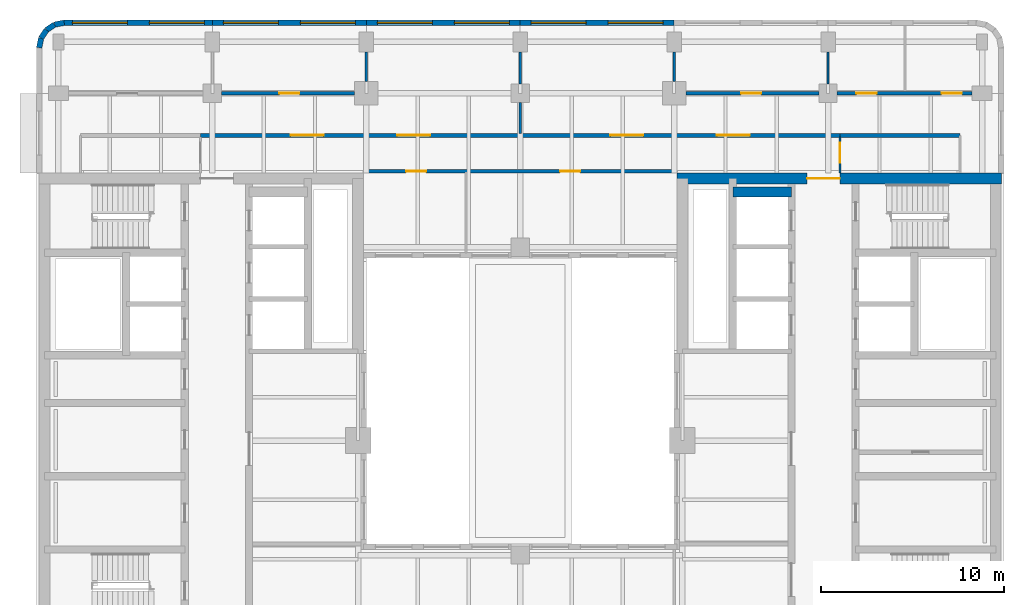
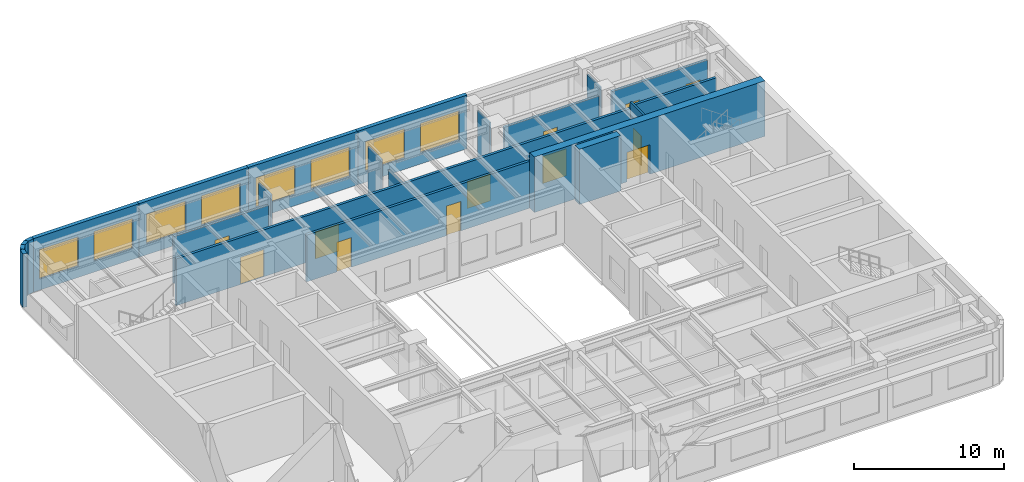
# One storey, part 7 of 11: 22 walls, 12 doors, 8 windows, 20 openings.
"""IFC4 building model written with IfcOpenShell, lengths in metres."""

from ifc_helpers import new_model, si_unit, direction, frame, frame_2d, origin, place, context, subcontext, project, spatial, rectangle, extrude, material, layer, layer_set, type_object, element, fill, save


model = new_model("IFC4")

# Units and contexts
model_context = context("Model", 3, precision=1e-05, world=origin(), true_north=direction((0.0, 1.0)))
body_context = subcontext(model_context, "Body", "Model", "MODEL_VIEW")
ifc_project = project(units=[si_unit("LENGTHUNIT", "METRE"), si_unit("AREAUNIT", "SQUARE_METRE"), si_unit("VOLUMEUNIT", "CUBIC_METRE"), si_unit("PLANEANGLEUNIT", "RADIAN"), si_unit("MASSUNIT", "GRAM", prefix="KILO")], contexts=[model_context])

# Site, building, storey
site_placement = place(None, origin())
site = spatial("IfcSite", under=ifc_project, at=site_placement, CompositionType="ELEMENT")
building_placement = place(site_placement, origin())
building = spatial("IfcBuilding", under=site, at=building_placement, Name="Claustro Exchange Tower", CompositionType="ELEMENT")
storey_placement = place(building_placement, frame((0.0, 0.0, 254.699951171875)))
storey = spatial("IfcBuildingStorey", under=building, at=storey_placement, Name="L58", CompositionType="ELEMENT", Elevation=254.699951171875)

# Walls
ifc_material_1 = material(Name="Laminated glass in aluminium frame", Category="aluminium")
ifc_layer_1 = layer(ifc_material_1, 0.1201171875)
ifc_layer_set_1 = layer_set([ifc_layer_1], Name="Laminated glass in aluminium frame")
wall_type_1 = type_object("IfcWallType", Name="P2 120 glazed partition", PredefinedType="PARTITIONING", material=ifc_layer_set_1)
for number, where, z_axis, x_axis, name in (
    (1, (16.800048828125, 42.64892578125, 0.0), (0.0, 0.0, 1.0), (0.0, 1.0, 0.0), "Partition P2 L58"),
    (2, (33.60009765625, 42.64892578125, 0.0), (0.0, 0.0, 1.0), (0.0, 1.0, 0.0), "Partition P2 L58"),
):
    element("IfcWall", number, at=place(storey_placement, frame(where, z_axis=z_axis, x_axis=x_axis)), inside=storey, type_object=wall_type_1, Name=name, PredefinedType="PARTITIONING", context=body_context, shape_type="SweptSolid", body=[
        extrude(rectangle(XDim=1.60205078125, YDim=0.1201171875, at=frame_2d((0.801025390625, 0.0))), origin(), (0.0, 0.0, 1.0), 3.989990234375),
    ])
wall_1_placement = place(storey_placement, frame((42.0, 42.4990234375, 0.0), z_axis=(0.0, 0.0, 1.0), x_axis=(0.0, 1.0, 0.0)))
element("IfcWall", 3, at=wall_1_placement, inside=storey, type_object=wall_type_1, Name="Partition P2 L58", PredefinedType="PARTITIONING", context=body_context, shape_type="SweptSolid", body=[
    extrude(rectangle(XDim=1.751953125, YDim=0.1201171875, at=frame_2d((0.8759765625, 0.0))), origin(), (0.0, 0.0, 1.0), 3.989990234375),
])
wall_2_placement = place(storey_placement, frame((25.199951171875, 39.798095703125, 0.0), z_axis=(0.0, 0.0, 1.0), x_axis=(0.0, 1.0, 0.0)))
element("IfcWall", 4, at=wall_2_placement, inside=storey, type_object=wall_type_1, Name="Partition P2 L58", PredefinedType="PARTITIONING", context=body_context, shape_type="SweptSolid", body=[
    extrude(rectangle(XDim=1.702880859375, YDim=0.1201171875, at=frame_2d((0.8515625, 0.0))), origin(), (0.0, 0.0, 1.0), 3.800048828125),
])
wall_3_placement = place(storey_placement, frame((25.199951171875, 42.4990234375, 0.0), z_axis=(0.0, 0.0, 1.0), x_axis=(0.0, 1.0, 0.0)))
element("IfcWall", 5, at=wall_3_placement, inside=storey, type_object=wall_type_1, Name="Partition P2 L58", PredefinedType="PARTITIONING", context=body_context, shape_type="SweptSolid", body=[
    extrude(rectangle(XDim=1.751953125, YDim=0.1201171875, at=frame_2d((0.8759765625, 0.0))), origin(), (0.0, 0.0, 1.0), 3.989990234375),
])

# Wall, opening, door
wall_4_placement = place(storey_placement, frame((42.64990234375, 37.64794921875, 0.0), z_axis=(0.0, 0.0, 1.0), x_axis=(0.0, 1.0, 0.0)))
wall_4 = element("IfcWall", 6, at=wall_4_placement, inside=storey, type_object=wall_type_1, Name="Partition P2 L58", PredefinedType="PARTITIONING", context=body_context, shape_type="SweptSolid", body=[
    extrude(rectangle(XDim=1.9541015625, YDim=0.1201171875, at=frame_2d((0.97705078125, 0.0))), origin(), (0.0, 0.0, 1.0), 4.35009765625),
])
opening_1_placement = place(wall_4_placement, frame((0.552001953125, 0.0, 0.0)))
opening_1 = element("IfcOpeningElement", 7, at=opening_1_placement, cuts=wall_4, Name="Opening D8", PredefinedType="OPENING", context=body_context, shape_type="SweptSolid", body=[
    extrude(rectangle(XDim=1.10009765625, YDim=2.39990234375, at=frame_2d((0.550048828125, 1.199951171875))), frame((0.0, 0.070068359375, 0.0), z_axis=(0.0, -1.0, 0.0), x_axis=(1.0, 0.0, 0.0)), (0.0, 0.0, 1.0), 0.14013671875),
])
ifc_material_2 = material(Name="Timber door, walnut veneer", Category="wood")
door_type_1 = type_object("IfcDoorType", Name="D8 1100 x 2400 executive door", OperationType="SINGLE_SWING_LEFT", PredefinedType="DOOR", material=ifc_material_2)
door_1_placement = place(opening_1_placement, frame((1.10009765625, 0.0, 0.0), z_axis=(0.0, 0.0, 1.0), x_axis=(-1.0, 0.0, 0.0)))
door_1 = element("IfcDoor", 8, at=door_1_placement, inside=storey, type_object=door_type_1, Name="Door D8 L58", OperationType="SINGLE_SWING_LEFT", OverallHeight=2.39990234375, OverallWidth=1.10009765625, PredefinedType="DOOR", context=body_context, shape_type="SweptSolid", body=[
    extrude(rectangle(XDim=1.10009765625, YDim=2.39990234375, at=frame_2d((0.550048828125, 1.199951171875))), frame((0.0, 0.02490234375, 0.0), z_axis=(0.0, -1.0, 0.0), x_axis=(1.0, 0.0, 0.0)), (0.0, 0.0, 1.0), 0.050048828125),
])
fill(opening_1, door_1)

ifc_material_3 = material(Name="Twin-skin gypsum board on steel studs, mineral wool", Category="steel")
ifc_layer_2 = layer(ifc_material_3, 0.199951171875)
ifc_layer_set_2 = layer_set([ifc_layer_2], Name="Twin-skin gypsum board on steel studs, mineral wool")
wall_type_2 = type_object("IfcWallType", Name="P3 200 acoustic partition", PredefinedType="PARTITIONING", material=ifc_layer_set_2)
wall_5_placement = place(storey_placement, frame((8.89892578125, 42.0, 0.0), z_axis=(0.0, 0.0, 1.0), x_axis=(1.0, 0.0, 0.0)))
wall_5 = element("IfcWall", 9, at=wall_5_placement, inside=storey, type_object=wall_type_2, Name="Partition P3 L58", PredefinedType="PARTITIONING", context=body_context, shape_type="SweptSolid", body=[
    extrude(rectangle(XDim=7.251953125, YDim=0.199951171875, at=frame_2d((3.6259765625, 0.0))), origin(), (0.0, 0.0, 1.0), 3.800048828125),
])
opening_2_placement = place(wall_5_placement, frame((3.15087890625, 0.0, 0.0)))
opening_2 = element("IfcOpeningElement", 10, at=opening_2_placement, cuts=wall_5, Name="Opening D8", PredefinedType="OPENING", context=body_context, shape_type="SweptSolid", body=[
    extrude(rectangle(XDim=1.10009765625, YDim=2.39990234375, at=frame_2d((0.550048828125, 1.199951171875))), frame((0.0, 0.10986328125, 0.0), z_axis=(0.0, -1.0, 0.0), x_axis=(1.0, 0.0, 0.0)), (0.0, 0.0, 1.0), 0.219970703125),
])
door_2_placement = place(opening_2_placement, origin())
door_2 = element("IfcDoor", 11, at=door_2_placement, inside=storey, type_object=door_type_1, Name="Door D8 L58", OperationType="SINGLE_SWING_LEFT", OverallHeight=2.39990234375, OverallWidth=1.10009765625, PredefinedType="DOOR", context=body_context, shape_type="SweptSolid", body=[
    extrude(rectangle(XDim=1.10009765625, YDim=2.39990234375, at=frame_2d((0.550048828125, 1.199951171875))), frame((0.0, 0.02490234375, 0.0), z_axis=(0.0, -1.0, 0.0), x_axis=(1.0, 0.0, 0.0)), (0.0, 0.0, 1.0), 0.050048828125),
])
fill(opening_2, door_2)

wall_6_placement = place(storey_placement, frame((34.2490234375, 42.0, 0.0), z_axis=(0.0, 0.0, 1.0), x_axis=(1.0, 0.0, 0.0)))
wall_6 = element("IfcWall", 12, at=wall_6_placement, inside=storey, type_object=wall_type_2, Name="Partition P3 L58", PredefinedType="PARTITIONING", context=body_context, shape_type="SweptSolid", body=[
    extrude(rectangle(XDim=7.251953125, YDim=0.199951171875, at=frame_2d((3.6259765625, 0.0))), origin(), (0.0, 0.0, 1.0), 3.800048828125),
])
opening_3_placement = place(wall_6_placement, frame((3.0009765625, 0.0, 0.0)))
opening_3 = element("IfcOpeningElement", 13, at=opening_3_placement, cuts=wall_6, Name="Opening D8", PredefinedType="OPENING", context=body_context, shape_type="SweptSolid", body=[
    extrude(rectangle(XDim=1.10009765625, YDim=2.39990234375, at=frame_2d((0.550048828125, 1.199951171875))), frame((0.0, 0.10986328125, 0.0), z_axis=(0.0, -1.0, 0.0), x_axis=(1.0, 0.0, 0.0)), (0.0, 0.0, 1.0), 0.219970703125),
])
door_3_placement = place(opening_3_placement, origin())
door_3 = element("IfcDoor", 14, at=door_3_placement, inside=storey, type_object=door_type_1, Name="Door D8 L58", OperationType="SINGLE_SWING_RIGHT", OverallHeight=2.39990234375, OverallWidth=1.10009765625, PredefinedType="DOOR", context=body_context, shape_type="SweptSolid", body=[
    extrude(rectangle(XDim=1.10009765625, YDim=2.39990234375, at=frame_2d((0.550048828125, 1.199951171875))), frame((0.0, 0.02490234375, 0.0), z_axis=(0.0, -1.0, 0.0), x_axis=(1.0, 0.0, 0.0)), (0.0, 0.0, 1.0), 0.050048828125),
])
fill(opening_3, door_3)

# Wall, openings, doors
wall_7_placement = place(storey_placement, frame((42.4990234375, 42.0, 0.0), z_axis=(0.0, 0.0, 1.0), x_axis=(1.0, 0.0, 0.0)))
wall_7 = element("IfcWall", 15, at=wall_7_placement, inside=storey, type_object=wall_type_2, Name="Partition P3 L58", PredefinedType="PARTITIONING", context=body_context, shape_type="SweptSolid", body=[
    extrude(rectangle(XDim=7.35205078125, YDim=0.199951171875, at=frame_2d((3.676025390625, 0.0))), origin(), (0.0, 0.0, 1.0), 3.800048828125),
])
opening_4_placement = place(wall_7_placement, frame((1.051025390625, 0.0, 0.0)))
opening_4 = element("IfcOpeningElement", 16, at=opening_4_placement, cuts=wall_7, Name="Opening D8", PredefinedType="OPENING", context=body_context, shape_type="SweptSolid", body=[
    extrude(rectangle(XDim=1.10009765625, YDim=2.39990234375, at=frame_2d((0.550048828125, 1.199951171875))), frame((0.0, 0.10986328125, 0.0), z_axis=(0.0, -1.0, 0.0), x_axis=(1.0, 0.0, 0.0)), (0.0, 0.0, 1.0), 0.219970703125),
])
opening_5_placement = place(wall_7_placement, frame((5.700927734375, 0.0, 0.0)))
opening_5 = element("IfcOpeningElement", 17, at=opening_5_placement, cuts=wall_7, Name="Opening D8", PredefinedType="OPENING", context=body_context, shape_type="SweptSolid", body=[
    extrude(rectangle(XDim=1.10009765625, YDim=2.39990234375, at=frame_2d((0.550048828125, 1.199951171875))), frame((0.0, 0.10986328125, 0.0), z_axis=(0.0, -1.0, 0.0), x_axis=(1.0, 0.0, 0.0)), (0.0, 0.0, 1.0), 0.219970703125),
])
door_4_placement = place(opening_4_placement, origin())
door_4 = element("IfcDoor", 18, at=door_4_placement, inside=storey, type_object=door_type_1, Name="Door D8 L58", OperationType="SINGLE_SWING_RIGHT", OverallHeight=2.39990234375, OverallWidth=1.10009765625, PredefinedType="DOOR", context=body_context, shape_type="SweptSolid", body=[
    extrude(rectangle(XDim=1.10009765625, YDim=2.39990234375, at=frame_2d((0.550048828125, 1.199951171875))), frame((0.0, 0.02490234375, 0.0), z_axis=(0.0, -1.0, 0.0), x_axis=(1.0, 0.0, 0.0)), (0.0, 0.0, 1.0), 0.050048828125),
])
fill(opening_4, door_4)
door_5_placement = place(opening_5_placement, origin())
door_5 = element("IfcDoor", 19, at=door_5_placement, inside=storey, type_object=door_type_1, Name="Door D8 L58", OperationType="SINGLE_SWING_LEFT", OverallHeight=2.39990234375, OverallWidth=1.10009765625, PredefinedType="DOOR", context=body_context, shape_type="SweptSolid", body=[
    extrude(rectangle(XDim=1.10009765625, YDim=2.39990234375, at=frame_2d((0.550048828125, 1.199951171875))), frame((0.0, 0.02490234375, 0.0), z_axis=(0.0, -1.0, 0.0), x_axis=(1.0, 0.0, 0.0)), (0.0, 0.0, 1.0), 0.050048828125),
])
fill(opening_5, door_5)

wall_8_placement = place(storey_placement, frame((7.748046875, 39.699951171875, 0.0), z_axis=(0.0, 0.0, 1.0), x_axis=(1.0, 0.0, 0.0)))
wall_8 = element("IfcWall", 20, at=wall_8_placement, inside=storey, type_object=wall_type_2, Name="Partition P3 L58", PredefinedType="PARTITIONING", context=body_context, shape_type="SweptSolid", body=[
    extrude(rectangle(XDim=34.904052734375, YDim=0.199951171875, at=frame_2d((17.4521484375, 0.0))), origin(), (0.0, 0.0, 1.0), 3.800048828125),
])
opening_6_placement = place(wall_8_placement, frame((4.918701171875, 0.0, 0.0)))
opening_6 = element("IfcOpeningElement", 21, at=opening_6_placement, cuts=wall_8, Name="Opening D2", PredefinedType="OPENING", context=body_context, shape_type="SweptSolid", body=[
    extrude(rectangle(XDim=1.800048828125, YDim=2.199951171875, at=frame_2d((0.89990234375, 1.10009765625))), frame((0.0, 0.10986328125, 0.0), z_axis=(0.0, -1.0, 0.0), x_axis=(1.0, 0.0, 0.0)), (0.0, 0.0, 1.0), 0.219970703125),
])
opening_7_placement = place(wall_8_placement, frame((10.7353515625, 0.0, 0.0)))
opening_7 = element("IfcOpeningElement", 22, at=opening_7_placement, cuts=wall_8, Name="Opening D2", PredefinedType="OPENING", context=body_context, shape_type="SweptSolid", body=[
    extrude(rectangle(XDim=1.800048828125, YDim=2.199951171875, at=frame_2d((0.89990234375, 1.10009765625))), frame((0.0, 0.10986328125, 0.0), z_axis=(0.0, -1.0, 0.0), x_axis=(1.0, 0.0, 0.0)), (0.0, 0.0, 1.0), 0.219970703125),
])
opening_8_placement = place(wall_8_placement, frame((22.36865234375, 0.0, 0.0)))
opening_8 = element("IfcOpeningElement", 23, at=opening_8_placement, cuts=wall_8, Name="Opening D2", PredefinedType="OPENING", context=body_context, shape_type="SweptSolid", body=[
    extrude(rectangle(XDim=1.800048828125, YDim=2.199951171875, at=frame_2d((0.89990234375, 1.10009765625))), frame((0.0, 0.10986328125, 0.0), z_axis=(0.0, -1.0, 0.0), x_axis=(1.0, 0.0, 0.0)), (0.0, 0.0, 1.0), 0.219970703125),
])
opening_9_placement = place(wall_8_placement, frame((28.185302734375, 0.0, 0.0)))
opening_9 = element("IfcOpeningElement", 24, at=opening_9_placement, cuts=wall_8, Name="Opening D2", PredefinedType="OPENING", context=body_context, shape_type="SweptSolid", body=[
    extrude(rectangle(XDim=1.800048828125, YDim=2.199951171875, at=frame_2d((0.89990234375, 1.10009765625))), frame((0.0, 0.10986328125, 0.0), z_axis=(0.0, -1.0, 0.0), x_axis=(1.0, 0.0, 0.0)), (0.0, 0.0, 1.0), 0.219970703125),
])
ifc_material_4 = material(Name="Timber door, oak veneer", Category="wood")
door_type_2 = type_object("IfcDoorType", Name="D2 1800 x 2200 double door", OperationType="DOUBLE_DOOR_SINGLE_SWING", PredefinedType="DOOR", material=ifc_material_4)
door_6_placement = place(opening_6_placement, frame((1.800048828125, 0.0, 0.0), z_axis=(0.0, 0.0, 1.0), x_axis=(-1.0, 0.0, 0.0)))
door_6 = element("IfcDoor", 25, at=door_6_placement, inside=storey, type_object=door_type_2, Name="Double door D2 L58", OperationType="DOUBLE_DOOR_SINGLE_SWING", OverallHeight=2.199951171875, OverallWidth=1.800048828125, PredefinedType="DOOR", context=body_context, shape_type="SweptSolid", body=[
    extrude(rectangle(XDim=1.800048828125, YDim=2.199951171875, at=frame_2d((0.89990234375, 1.10009765625))), frame((0.0, 0.02490234375, 0.0), z_axis=(0.0, -1.0, 0.0), x_axis=(1.0, 0.0, 0.0)), (0.0, 0.0, 1.0), 0.050048828125),
])
fill(opening_6, door_6)
door_7_placement = place(opening_7_placement, frame((1.800048828125, 0.0, 0.0), z_axis=(0.0, 0.0, 1.0), x_axis=(-1.0, 0.0, 0.0)))
door_7 = element("IfcDoor", 26, at=door_7_placement, inside=storey, type_object=door_type_2, Name="Double door D2 L58", OperationType="DOUBLE_DOOR_SINGLE_SWING", OverallHeight=2.199951171875, OverallWidth=1.800048828125, PredefinedType="DOOR", context=body_context, shape_type="SweptSolid", body=[
    extrude(rectangle(XDim=1.800048828125, YDim=2.199951171875, at=frame_2d((0.89990234375, 1.10009765625))), frame((0.0, 0.02490234375, 0.0), z_axis=(0.0, -1.0, 0.0), x_axis=(1.0, 0.0, 0.0)), (0.0, 0.0, 1.0), 0.050048828125),
])
fill(opening_7, door_7)
door_8_placement = place(opening_8_placement, origin())
door_8 = element("IfcDoor", 27, at=door_8_placement, inside=storey, type_object=door_type_2, Name="Double door D2 L58", OperationType="DOUBLE_DOOR_SINGLE_SWING", OverallHeight=2.199951171875, OverallWidth=1.800048828125, PredefinedType="DOOR", context=body_context, shape_type="SweptSolid", body=[
    extrude(rectangle(XDim=1.800048828125, YDim=2.199951171875, at=frame_2d((0.89990234375, 1.10009765625))), frame((0.0, 0.02490234375, 0.0), z_axis=(0.0, -1.0, 0.0), x_axis=(1.0, 0.0, 0.0)), (0.0, 0.0, 1.0), 0.050048828125),
])
fill(opening_8, door_8)
door_9_placement = place(opening_9_placement, origin())
door_9 = element("IfcDoor", 28, at=door_9_placement, inside=storey, type_object=door_type_2, Name="Double door D2 L58", OperationType="DOUBLE_DOOR_SINGLE_SWING", OverallHeight=2.199951171875, OverallWidth=1.800048828125, PredefinedType="DOOR", context=body_context, shape_type="SweptSolid", body=[
    extrude(rectangle(XDim=1.800048828125, YDim=2.199951171875, at=frame_2d((0.89990234375, 1.10009765625))), frame((0.0, 0.02490234375, 0.0), z_axis=(0.0, -1.0, 0.0), x_axis=(1.0, 0.0, 0.0)), (0.0, 0.0, 1.0), 0.050048828125),
])
fill(opening_9, door_9)

# Wall
wall_9_placement = place(storey_placement, frame((42.64794921875, 39.699951171875, 0.0), z_axis=(0.0, 0.0, 1.0), x_axis=(1.0, 0.0, 0.0)))
element("IfcWall", 29, at=wall_9_placement, inside=storey, type_object=wall_type_2, Name="Partition P3 L58", PredefinedType="PARTITIONING", context=body_context, shape_type="SweptSolid", body=[
    extrude(rectangle(XDim=6.552001953125, YDim=0.199951171875, at=frame_2d((3.27587890625, 0.0))), origin(), (0.0, 0.0, 1.0), 3.989990234375),
])

# Wall, openings, doors
wall_10_placement = place(storey_placement, frame((16.64990234375, 37.75, 0.0), z_axis=(0.0, 0.0, 1.0), x_axis=(1.0, 0.0, 0.0)))
wall_10 = element("IfcWall", 30, at=wall_10_placement, inside=storey, type_object=wall_type_2, Name="Partition P3 L58", PredefinedType="PARTITIONING", context=body_context, shape_type="SweptSolid", body=[
    extrude(rectangle(XDim=17.10009765625, YDim=0.199951171875, at=frame_2d((8.550048828125, 0.0))), origin(), (0.0, 0.0, 1.0), 3.800048828125),
])
opening_10_placement = place(wall_10_placement, frame((2.3203125, 0.0, 0.0)))
opening_10 = element("IfcOpeningElement", 31, at=opening_10_placement, cuts=wall_10, Name="Opening D8", PredefinedType="OPENING", context=body_context, shape_type="SweptSolid", body=[
    extrude(rectangle(XDim=1.10009765625, YDim=2.39990234375, at=frame_2d((0.550048828125, 1.199951171875))), frame((0.0, 0.10986328125, 0.0), z_axis=(0.0, -1.0, 0.0), x_axis=(1.0, 0.0, 0.0)), (0.0, 0.0, 1.0), 0.219970703125),
])
opening_11_placement = place(wall_10_placement, frame((10.72021484375, 0.0, 0.0)))
opening_11 = element("IfcOpeningElement", 32, at=opening_11_placement, cuts=wall_10, Name="Opening D8", PredefinedType="OPENING", context=body_context, shape_type="SweptSolid", body=[
    extrude(rectangle(XDim=1.10009765625, YDim=2.39990234375, at=frame_2d((0.550048828125, 1.199951171875))), frame((0.0, 0.10986328125, 0.0), z_axis=(0.0, -1.0, 0.0), x_axis=(1.0, 0.0, 0.0)), (0.0, 0.0, 1.0), 0.219970703125),
])
door_10_placement = place(opening_10_placement, frame((1.10009765625, 0.0, 0.0), z_axis=(0.0, 0.0, 1.0), x_axis=(-1.0, 0.0, 0.0)))
door_10 = element("IfcDoor", 33, at=door_10_placement, inside=storey, type_object=door_type_1, Name="Door D8 L58", OperationType="SINGLE_SWING_LEFT", OverallHeight=2.39990234375, OverallWidth=1.10009765625, PredefinedType="DOOR", context=body_context, shape_type="SweptSolid", body=[
    extrude(rectangle(XDim=1.10009765625, YDim=2.39990234375, at=frame_2d((0.550048828125, 1.199951171875))), frame((0.0, 0.02490234375, 0.0), z_axis=(0.0, -1.0, 0.0), x_axis=(1.0, 0.0, 0.0)), (0.0, 0.0, 1.0), 0.050048828125),
])
fill(opening_10, door_10)
door_11_placement = place(opening_11_placement, frame((1.10009765625, 0.0, 0.0), z_axis=(0.0, 0.0, 1.0), x_axis=(-1.0, 0.0, 0.0)))
door_11 = element("IfcDoor", 34, at=door_11_placement, inside=storey, type_object=door_type_1, Name="Door D8 L58", OperationType="SINGLE_SWING_LEFT", OverallHeight=2.39990234375, OverallWidth=1.10009765625, PredefinedType="DOOR", context=body_context, shape_type="SweptSolid", body=[
    extrude(rectangle(XDim=1.10009765625, YDim=2.39990234375, at=frame_2d((0.550048828125, 1.199951171875))), frame((0.0, 0.02490234375, 0.0), z_axis=(0.0, -1.0, 0.0), x_axis=(1.0, 0.0, 0.0)), (0.0, 0.0, 1.0), 0.050048828125),
])
fill(opening_11, door_11)

# Walls
ifc_material_5 = material(Name="Concrete HA-40 (C40/50), precast, white cement, acid-etched", Category="concrete")
ifc_layer_3 = layer(ifc_material_5, 0.300048828125)
ifc_layer_set_3 = layer_set([ifc_layer_3], Name="Concrete HA-40 (C40/50), precast, white cement, acid-etched")
wall_type_3 = type_object("IfcWallType", Name="PC1 300 precast concrete pier panel", PredefinedType="SOLIDWALL", material=ifc_layer_set_3)
wall_11_placement = place(storey_placement, frame((-1.050048828125, 44.485107421875, 0.0), z_axis=(0.0, 0.0, 1.0), x_axis=(0.195073962632, 0.980788534345, 0.0)))
element("IfcWall", 35, at=wall_11_placement, inside=storey, type_object=wall_type_3, Name="Precast pier panel PC1 L58", PredefinedType="SOLIDWALL", context=body_context, shape_type="SweptSolid", body=[
    extrude(rectangle(XDim=0.540771484375, YDim=0.300048828125, at=frame_2d((0.2705078125, 0.0))), origin(), (0.0, 0.0, 1.0), 4.35009765625),
])
wall_12_placement = place(storey_placement, frame((-0.944580078125, 45.015380859375, 0.0), z_axis=(0.0, 0.0, 1.0), x_axis=(0.55534295404, 0.831621430339, 0.0)))
element("IfcWall", 36, at=wall_12_placement, inside=storey, type_object=wall_type_3, Name="Precast pier panel PC1 L58", PredefinedType="SOLIDWALL", context=body_context, shape_type="SweptSolid", body=[
    extrude(rectangle(XDim=0.52587890625, YDim=0.300048828125, at=frame_2d((0.262939453125, 0.0))), origin(), (0.0, 0.0, 1.0), 4.35009765625),
])
wall_13_placement = place(storey_placement, frame((-0.652587890625, 45.45263671875, 0.0), z_axis=(0.0, 0.0, 1.0), x_axis=(0.831692711774, 0.555236195849, 0.0)))
element("IfcWall", 37, at=wall_13_placement, inside=storey, type_object=wall_type_3, Name="Precast pier panel PC1 L58", PredefinedType="SOLIDWALL", context=body_context, shape_type="SweptSolid", body=[
    extrude(rectangle(XDim=0.525390625, YDim=0.300048828125, at=frame_2d((0.2626953125, 0.0))), origin(), (0.0, 0.0, 1.0), 4.35009765625),
])
wall_14_placement = place(storey_placement, frame((-0.215576171875, 45.744384765625, 0.0), z_axis=(0.0, 0.0, 1.0), x_axis=(0.980702050465, 0.1955082817, 0.0)))
element("IfcWall", 38, at=wall_14_placement, inside=storey, type_object=wall_type_3, Name="Precast pier panel PC1 L58", PredefinedType="SOLIDWALL", context=body_context, shape_type="SweptSolid", body=[
    extrude(rectangle(XDim=0.540771484375, YDim=0.300048828125, at=frame_2d((0.2705078125, 0.0))), origin(), (0.0, 0.0, 1.0), 4.35009765625),
])

# Wall, openings, windows
wall_15_placement = place(storey_placement, frame((0.314697265625, 45.85009765625, 0.0), z_axis=(0.0, 0.0, 1.0), x_axis=(1.0, 0.0, 0.0)))
wall_15 = element("IfcWall", 39, at=wall_15_placement, inside=storey, type_object=wall_type_3, Name="Precast pier panel PC1 L58", PredefinedType="SOLIDWALL", context=body_context, shape_type="SweptSolid", body=[
    extrude(rectangle(XDim=8.085205078125, YDim=0.300048828125, at=frame_2d((4.04248046875, 0.0))), origin(), (0.0, 0.0, 1.0), 4.35009765625),
])
opening_12_placement = place(wall_15_placement, frame((0.442626953125, 0.0, 0.89990234375)))
opening_12 = element("IfcOpeningElement", 40, at=opening_12_placement, cuts=wall_15, Name="Opening W3", PredefinedType="OPENING", context=body_context, shape_type="SweptSolid", body=[
    extrude(rectangle(XDim=3.0, YDim=2.39990234375, at=frame_2d((1.5, 1.199951171875))), frame((0.0, 0.159912109375, 0.0), z_axis=(0.0, -1.0, 0.0), x_axis=(1.0, 0.0, 0.0)), (0.0, 0.0, 1.0), 0.320068359375),
])
opening_13_placement = place(wall_15_placement, frame((4.642578125, 0.0, 0.89990234375)))
opening_13 = element("IfcOpeningElement", 41, at=opening_13_placement, cuts=wall_15, Name="Opening W3", PredefinedType="OPENING", context=body_context, shape_type="SweptSolid", body=[
    extrude(rectangle(XDim=3.0, YDim=2.39990234375, at=frame_2d((1.5, 1.199951171875))), frame((0.0, 0.159912109375, 0.0), z_axis=(0.0, -1.0, 0.0), x_axis=(1.0, 0.0, 0.0)), (0.0, 0.0, 1.0), 0.320068359375),
])
ifc_material_6 = material(Name="Aluminium frame, clear double glazing", Category="aluminium")
window_type = type_object("IfcWindowType", Name="W3 3000 x 2400 window", PartitioningType="SINGLE_PANEL", PredefinedType="WINDOW", material=ifc_material_6)
window_1_placement = place(opening_12_placement, origin())
window_1 = element("IfcWindow", 42, at=window_1_placement, inside=storey, type_object=window_type, Name="Window W3 L58", OverallHeight=2.39990234375, OverallWidth=3.0, PartitioningType="SINGLE_PANEL", PredefinedType="WINDOW", context=body_context, shape_type="SweptSolid", body=[
    extrude(rectangle(XDim=3.0, YDim=2.39990234375, at=frame_2d((1.5, 1.199951171875))), frame((0.0, 0.030029296875, 0.0), z_axis=(0.0, -1.0, 0.0), x_axis=(1.0, 0.0, 0.0)), (0.0, 0.0, 1.0), 0.06005859375),
])
fill(opening_12, window_1)
window_2_placement = place(opening_13_placement, origin())
window_2 = element("IfcWindow", 43, at=window_2_placement, inside=storey, type_object=window_type, Name="Window W3 L58", OverallHeight=2.39990234375, OverallWidth=3.0, PartitioningType="SINGLE_PANEL", PredefinedType="WINDOW", context=body_context, shape_type="SweptSolid", body=[
    extrude(rectangle(XDim=3.0, YDim=2.39990234375, at=frame_2d((1.5, 1.199951171875))), frame((0.0, 0.030029296875, 0.0), z_axis=(0.0, -1.0, 0.0), x_axis=(1.0, 0.0, 0.0)), (0.0, 0.0, 1.0), 0.06005859375),
])
fill(opening_13, window_2)

wall_16_placement = place(storey_placement, frame((8.39990234375, 45.85009765625, 0.0), z_axis=(0.0, 0.0, 1.0), x_axis=(1.0, 0.0, 0.0)))
wall_16 = element("IfcWall", 44, at=wall_16_placement, inside=storey, type_object=wall_type_3, Name="Precast pier panel PC1 L58", PredefinedType="SOLIDWALL", context=body_context, shape_type="SweptSolid", body=[
    extrude(rectangle(XDim=8.400146484375, YDim=0.300048828125, at=frame_2d((4.2001953125, 0.0))), origin(), (0.0, 0.0, 1.0), 4.35009765625),
])
opening_14_placement = place(wall_16_placement, frame((0.60009765625, 0.0, 0.89990234375)))
opening_14 = element("IfcOpeningElement", 45, at=opening_14_placement, cuts=wall_16, Name="Opening W3", PredefinedType="OPENING", context=body_context, shape_type="SweptSolid", body=[
    extrude(rectangle(XDim=3.0, YDim=2.39990234375, at=frame_2d((1.5, 1.199951171875))), frame((0.0, 0.159912109375, 0.0), z_axis=(0.0, -1.0, 0.0), x_axis=(1.0, 0.0, 0.0)), (0.0, 0.0, 1.0), 0.320068359375),
])
opening_15_placement = place(wall_16_placement, frame((4.800048828125, 0.0, 0.89990234375)))
opening_15 = element("IfcOpeningElement", 46, at=opening_15_placement, cuts=wall_16, Name="Opening W3", PredefinedType="OPENING", context=body_context, shape_type="SweptSolid", body=[
    extrude(rectangle(XDim=3.0, YDim=2.39990234375, at=frame_2d((1.5, 1.199951171875))), frame((0.0, 0.159912109375, 0.0), z_axis=(0.0, -1.0, 0.0), x_axis=(1.0, 0.0, 0.0)), (0.0, 0.0, 1.0), 0.320068359375),
])
window_3_placement = place(opening_14_placement, origin())
window_3 = element("IfcWindow", 47, at=window_3_placement, inside=storey, type_object=window_type, Name="Window W3 L58", OverallHeight=2.39990234375, OverallWidth=3.0, PartitioningType="SINGLE_PANEL", PredefinedType="WINDOW", context=body_context, shape_type="SweptSolid", body=[
    extrude(rectangle(XDim=3.0, YDim=2.39990234375, at=frame_2d((1.5, 1.199951171875))), frame((0.0, 0.030029296875, 0.0), z_axis=(0.0, -1.0, 0.0), x_axis=(1.0, 0.0, 0.0)), (0.0, 0.0, 1.0), 0.06005859375),
])
fill(opening_14, window_3)
window_4_placement = place(opening_15_placement, origin())
window_4 = element("IfcWindow", 48, at=window_4_placement, inside=storey, type_object=window_type, Name="Window W3 L58", OverallHeight=2.39990234375, OverallWidth=3.0, PartitioningType="SINGLE_PANEL", PredefinedType="WINDOW", context=body_context, shape_type="SweptSolid", body=[
    extrude(rectangle(XDim=3.0, YDim=2.39990234375, at=frame_2d((1.5, 1.199951171875))), frame((0.0, 0.030029296875, 0.0), z_axis=(0.0, -1.0, 0.0), x_axis=(1.0, 0.0, 0.0)), (0.0, 0.0, 1.0), 0.06005859375),
])
fill(opening_15, window_4)

wall_17_placement = place(storey_placement, frame((16.800048828125, 45.85009765625, 0.0), z_axis=(0.0, 0.0, 1.0), x_axis=(1.0, 0.0, 0.0)))
wall_17 = element("IfcWall", 49, at=wall_17_placement, inside=storey, type_object=wall_type_3, Name="Precast pier panel PC1 L58", PredefinedType="SOLIDWALL", context=body_context, shape_type="SweptSolid", body=[
    extrude(rectangle(XDim=8.39990234375, YDim=0.300048828125, at=frame_2d((4.199951171875, 0.0))), origin(), (0.0, 0.0, 1.0), 4.35009765625),
])
opening_16_placement = place(wall_17_placement, frame((0.60009765625, 0.0, 0.89990234375)))
opening_16 = element("IfcOpeningElement", 50, at=opening_16_placement, cuts=wall_17, Name="Opening W3", PredefinedType="OPENING", context=body_context, shape_type="SweptSolid", body=[
    extrude(rectangle(XDim=3.0, YDim=2.39990234375, at=frame_2d((1.5, 1.199951171875))), frame((0.0, 0.159912109375, 0.0), z_axis=(0.0, -1.0, 0.0), x_axis=(1.0, 0.0, 0.0)), (0.0, 0.0, 1.0), 0.320068359375),
])
opening_17_placement = place(wall_17_placement, frame((4.800048828125, 0.0, 0.89990234375)))
opening_17 = element("IfcOpeningElement", 51, at=opening_17_placement, cuts=wall_17, Name="Opening W3", PredefinedType="OPENING", context=body_context, shape_type="SweptSolid", body=[
    extrude(rectangle(XDim=3.0, YDim=2.39990234375, at=frame_2d((1.5, 1.199951171875))), frame((0.0, 0.159912109375, 0.0), z_axis=(0.0, -1.0, 0.0), x_axis=(1.0, 0.0, 0.0)), (0.0, 0.0, 1.0), 0.320068359375),
])
window_5_placement = place(opening_16_placement, origin())
window_5 = element("IfcWindow", 52, at=window_5_placement, inside=storey, type_object=window_type, Name="Window W3 L58", OverallHeight=2.39990234375, OverallWidth=3.0, PartitioningType="SINGLE_PANEL", PredefinedType="WINDOW", context=body_context, shape_type="SweptSolid", body=[
    extrude(rectangle(XDim=3.0, YDim=2.39990234375, at=frame_2d((1.5, 1.199951171875))), frame((0.0, 0.030029296875, 0.0), z_axis=(0.0, -1.0, 0.0), x_axis=(1.0, 0.0, 0.0)), (0.0, 0.0, 1.0), 0.06005859375),
])
fill(opening_16, window_5)
window_6_placement = place(opening_17_placement, origin())
window_6 = element("IfcWindow", 53, at=window_6_placement, inside=storey, type_object=window_type, Name="Window W3 L58", OverallHeight=2.39990234375, OverallWidth=3.0, PartitioningType="SINGLE_PANEL", PredefinedType="WINDOW", context=body_context, shape_type="SweptSolid", body=[
    extrude(rectangle(XDim=3.0, YDim=2.39990234375, at=frame_2d((1.5, 1.199951171875))), frame((0.0, 0.030029296875, 0.0), z_axis=(0.0, -1.0, 0.0), x_axis=(1.0, 0.0, 0.0)), (0.0, 0.0, 1.0), 0.06005859375),
])
fill(opening_17, window_6)

wall_18_placement = place(storey_placement, frame((25.199951171875, 45.85009765625, 0.0), z_axis=(0.0, 0.0, 1.0), x_axis=(1.0, 0.0, 0.0)))
wall_18 = element("IfcWall", 54, at=wall_18_placement, inside=storey, type_object=wall_type_3, Name="Precast pier panel PC1 L58", PredefinedType="SOLIDWALL", context=body_context, shape_type="SweptSolid", body=[
    extrude(rectangle(XDim=8.400146484375, YDim=0.300048828125, at=frame_2d((4.2001953125, 0.0))), origin(), (0.0, 0.0, 1.0), 4.35009765625),
])
opening_18_placement = place(wall_18_placement, frame((0.60009765625, 0.0, 0.89990234375)))
opening_18 = element("IfcOpeningElement", 55, at=opening_18_placement, cuts=wall_18, Name="Opening W3", PredefinedType="OPENING", context=body_context, shape_type="SweptSolid", body=[
    extrude(rectangle(XDim=3.0, YDim=2.39990234375, at=frame_2d((1.5, 1.199951171875))), frame((0.0, 0.159912109375, 0.0), z_axis=(0.0, -1.0, 0.0), x_axis=(1.0, 0.0, 0.0)), (0.0, 0.0, 1.0), 0.320068359375),
])
opening_19_placement = place(wall_18_placement, frame((4.800048828125, 0.0, 0.89990234375)))
opening_19 = element("IfcOpeningElement", 56, at=opening_19_placement, cuts=wall_18, Name="Opening W3", PredefinedType="OPENING", context=body_context, shape_type="SweptSolid", body=[
    extrude(rectangle(XDim=3.0, YDim=2.39990234375, at=frame_2d((1.5, 1.199951171875))), frame((0.0, 0.159912109375, 0.0), z_axis=(0.0, -1.0, 0.0), x_axis=(1.0, 0.0, 0.0)), (0.0, 0.0, 1.0), 0.320068359375),
])
window_7_placement = place(opening_18_placement, origin())
window_7 = element("IfcWindow", 57, at=window_7_placement, inside=storey, type_object=window_type, Name="Window W3 L58", OverallHeight=2.39990234375, OverallWidth=3.0, PartitioningType="SINGLE_PANEL", PredefinedType="WINDOW", context=body_context, shape_type="SweptSolid", body=[
    extrude(rectangle(XDim=3.0, YDim=2.39990234375, at=frame_2d((1.5, 1.199951171875))), frame((0.0, 0.030029296875, 0.0), z_axis=(0.0, -1.0, 0.0), x_axis=(1.0, 0.0, 0.0)), (0.0, 0.0, 1.0), 0.06005859375),
])
fill(opening_18, window_7)
window_8_placement = place(opening_19_placement, origin())
window_8 = element("IfcWindow", 58, at=window_8_placement, inside=storey, type_object=window_type, Name="Window W3 L58", OverallHeight=2.39990234375, OverallWidth=3.0, PartitioningType="SINGLE_PANEL", PredefinedType="WINDOW", context=body_context, shape_type="SweptSolid", body=[
    extrude(rectangle(XDim=3.0, YDim=2.39990234375, at=frame_2d((1.5, 1.199951171875))), frame((0.0, 0.030029296875, 0.0), z_axis=(0.0, -1.0, 0.0), x_axis=(1.0, 0.0, 0.0)), (0.0, 0.0, 1.0), 0.06005859375),
])
fill(opening_19, window_8)

# Wall, opening, door
ifc_material_7 = material(Name="Concrete HA-50 (C50/60)", Category="concrete")
ifc_layer_4 = layer(ifc_material_7, 0.60009765625)
ifc_layer_set_4 = layer_set([ifc_layer_4], Name="Concrete HA-50 (C50/60)")
wall_type_4 = type_object("IfcWallType", Name="SW3 600 core shear wall", PredefinedType="SHEAR", material=ifc_layer_set_4)
wall_19_placement = place(storey_placement, frame((33.75, 37.35009765625, 0.0), z_axis=(0.0, 0.0, 1.0), x_axis=(1.0, 0.0, 0.0)))
wall_19 = element("IfcWall", 59, at=wall_19_placement, inside=storey, type_object=wall_type_4, Name="Core wall SW3 E core N face L58", PredefinedType="SHEAR", context=body_context, shape_type="SweptSolid", body=[
    extrude(rectangle(XDim=17.699951171875, YDim=0.60009765625, at=frame_2d((8.85009765625, 0.0))), origin(), (0.0, 0.0, 1.0), 4.5),
])
opening_20_placement = place(wall_19_placement, frame((7.10009765625, 0.0, 0.0)))
opening_20 = element("IfcOpeningElement", 60, at=opening_20_placement, cuts=wall_19, Name="Opening D3", PredefinedType="OPENING", context=body_context, shape_type="SweptSolid", body=[
    extrude(rectangle(XDim=1.800048828125, YDim=2.39990234375, at=frame_2d((0.89990234375, 1.199951171875))), frame((0.0, 0.31005859375, 0.0), z_axis=(0.0, -1.0, 0.0), x_axis=(1.0, 0.0, 0.0)), (0.0, 0.0, 1.0), 0.6201171875),
])
ifc_material_8 = material(Name="Steel fire door, painted", Category="steel")
door_type_3 = type_object("IfcDoorType", Name="D3 1800 x 2400 fire-rated lobby double door", OperationType="DOUBLE_DOOR_SINGLE_SWING", PredefinedType="DOOR", material=ifc_material_8)
door_12_placement = place(opening_20_placement, origin())
door_12 = element("IfcDoor", 61, at=door_12_placement, inside=storey, type_object=door_type_3, Name="Lift lobby door D3 L58", OperationType="DOUBLE_DOOR_SINGLE_SWING", OverallHeight=2.39990234375, OverallWidth=1.800048828125, PredefinedType="DOOR", context=body_context, shape_type="SweptSolid", body=[
    extrude(rectangle(XDim=1.800048828125, YDim=2.39990234375, at=frame_2d((0.89990234375, 1.199951171875))), frame((0.0, 0.02490234375, 0.0), z_axis=(0.0, -1.0, 0.0), x_axis=(1.0, 0.0, 0.0)), (0.0, 0.0, 1.0), 0.050048828125),
])
fill(opening_20, door_12)

# Wall
ifc_material_9 = material(Name="Concrete HA-50 (C50/60)", Category="concrete")
ifc_layer_5 = layer(ifc_material_9, 0.550048828125)
ifc_layer_set_5 = layer_set([ifc_layer_5], Name="Concrete HA-50 (C50/60)")
wall_type_5 = type_object("IfcWallType", Name="SW6 550 lift shaft end wall", PredefinedType="SHEAR", material=ifc_layer_set_5)
wall_20_placement = place(storey_placement, frame((40.0, 36.625, 0.0), z_axis=(0.0, 0.0, 1.0), x_axis=(-1.0, 0.0, 0.0)))
element("IfcWall", 62, at=wall_20_placement, inside=storey, type_object=wall_type_5, Name="Lift shaft wall E core L58", PredefinedType="SHEAR", context=body_context, shape_type="SweptSolid", body=[
    extrude(rectangle(XDim=3.199951171875, YDim=0.550048828125, at=frame_2d((1.60009765625, 0.0))), origin(), (0.0, 0.0, 1.0), 4.5),
])

save(model, "model.ifc")
